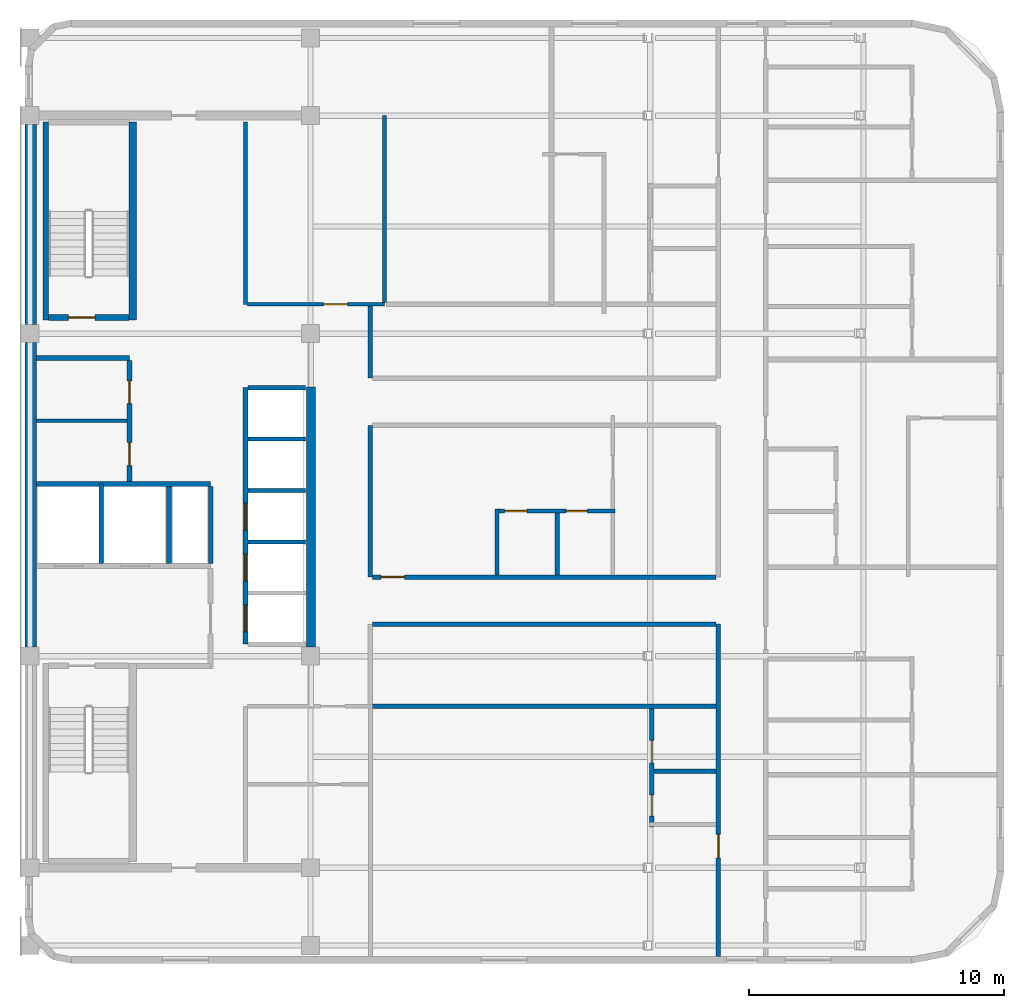
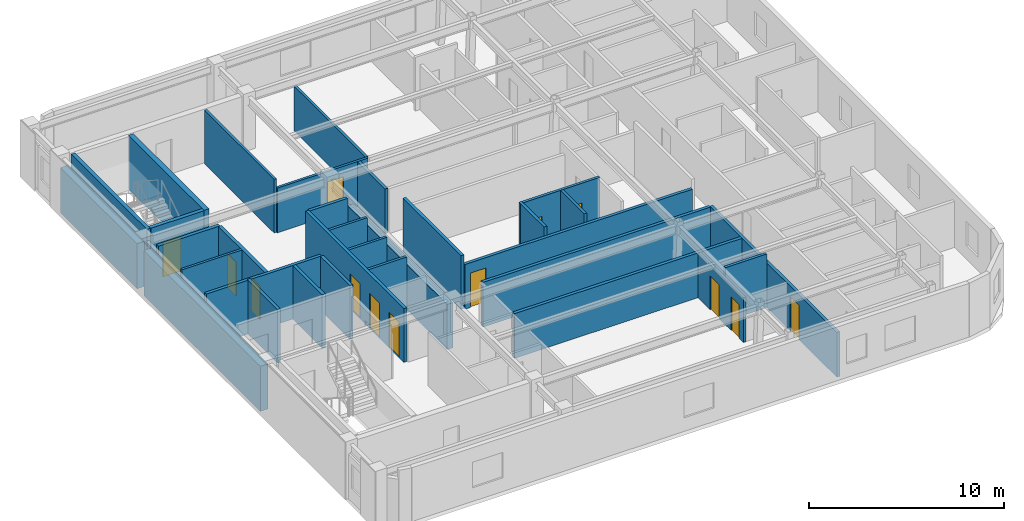
# One storey, part 3 of 7: 32 walls, 13 doors, 13 openings.
"""IFC4 building model written with IfcOpenShell, lengths in metres."""

from ifc_helpers import new_model, si_unit, direction, frame, frame_2d, origin, place, context, subcontext, project, spatial, rectangle, extrude, material, layer, layer_set, type_object, element, fill, save


model = new_model("IFC4")

# Units and contexts
model_context = context("Model", 3, precision=1e-05, world=origin(), true_north=direction((0.0, 1.0)))
body_context = subcontext(model_context, "Body", "Model", "MODEL_VIEW")
ifc_project = project(units=[si_unit("LENGTHUNIT", "METRE"), si_unit("AREAUNIT", "SQUARE_METRE"), si_unit("VOLUMEUNIT", "CUBIC_METRE"), si_unit("PLANEANGLEUNIT", "RADIAN"), si_unit("MASSUNIT", "GRAM", prefix="KILO")], contexts=[model_context])

# Site, building, storey
site_placement = place(None, origin())
site = spatial("IfcSite", under=ifc_project, at=site_placement, CompositionType="ELEMENT")
building_placement = place(site_placement, origin())
building = spatial("IfcBuilding", under=site, at=building_placement, Name="Ochreholt Gables", CompositionType="ELEMENT")
storey_placement = place(building_placement, frame((0.0, 0.0, 242.39990234375)))
storey = spatial("IfcBuildingStorey", under=building, at=storey_placement, Name="L63", CompositionType="ELEMENT", Elevation=242.39990234375)

# Walls
ifc_material_1 = material(Name="Concrete 50 MPa", Category="concrete")
ifc_layer_1 = layer(ifc_material_1, 0.35009765625, Name="Concrete 50 MPa")
ifc_layer_set_1 = layer_set([ifc_layer_1], Name="Concrete 50 MPa")
wall_type_1 = type_object("IfcWallType", Name="WALL-CSW-350", PredefinedType="SHEAR", material=ifc_layer_set_1)
wall_1_placement = place(storey_placement, frame((35.22509765625, 17.89990234375, 0.0), z_axis=(0.0, 0.0, 1.0), x_axis=(0.0, 1.0, 0.0)))
element("IfcWall", 1, at=wall_1_placement, inside=storey, type_object=wall_type_1, Name="L63 Core Central-East Shear Wall", PredefinedType="SHEAR", context=body_context, shape_type="SweptSolid", body=[
    extrude(rectangle(XDim=10.2001953125, YDim=0.35009765625, at=frame_2d((5.10009765625, 0.0))), origin(), (0.0, 0.0, 1.0), 2.821044921875),
])
ifc_layer_2 = layer(ifc_material_1, 0.449951171875, Name="Concrete 50 MPa")
ifc_layer_set_2 = layer_set([ifc_layer_2], Name="Concrete 50 MPa")
wall_type_2 = type_object("IfcWallType", Name="WALL-CSW-EXT", PredefinedType="SHEAR", material=ifc_layer_set_2)
wall_2_placement = place(storey_placement, frame((24.22509765625, 17.89990234375, 0.0), z_axis=(0.0, 0.0, 1.0), x_axis=(0.0, 1.0, 0.0)))
element("IfcWall", 2, at=wall_2_placement, inside=storey, type_object=wall_type_2, Name="L63 Core West Shear Wall WM", PredefinedType="SHEAR", context=body_context, shape_type="SweptSolid", body=[
    extrude(rectangle(XDim=11.9501953125, YDim=0.449951171875, at=frame_2d((5.97509765625, 0.0))), origin(), (0.0, 0.0, 1.0), 2.821044921875),
])
wall_3_placement = place(storey_placement, frame((24.22509765625, 30.550048828125, 0.0), z_axis=(0.0, 0.0, 1.0), x_axis=(0.0, 1.0, 0.0)))
element("IfcWall", 3, at=wall_3_placement, inside=storey, type_object=wall_type_2, Name="L63 Core West Shear Wall WN", PredefinedType="SHEAR", context=body_context, shape_type="SweptSolid", body=[
    extrude(rectangle(XDim=7.849853515625, YDim=0.449951171875, at=frame_2d((3.9248046875, 0.0))), origin(), (0.0, 0.0, 1.0), 2.821044921875),
])
ifc_material_2 = material(Name="Concrete 40 MPa", Category="concrete")
ifc_layer_3 = layer(ifc_material_2, 0.199951171875, Name="Concrete 40 MPa")
ifc_layer_set_3 = layer_set([ifc_layer_3], Name="Concrete 40 MPa")
wall_type_3 = type_object("IfcWallType", Name="WALL-INT-CF200", PredefinedType="STANDARD", material=ifc_layer_set_3)
wall_4_placement = place(storey_placement, frame((24.449951171875, 29.239990234375, 0.0), z_axis=(0.0, 0.0, 1.0), x_axis=(1.0, 0.0, 0.0)))
element("IfcWall", 4, at=wall_4_placement, inside=storey, type_object=wall_type_3, Name="L63 Interior Wall WI-SRVN-L63", PredefinedType="STANDARD", context=body_context, shape_type="SweptSolid", body=[
    extrude(rectangle(XDim=3.650146484375, YDim=0.199951171875, at=frame_2d((1.8251953125, 0.0))), origin(), (0.0, 0.0, 1.0), 3.360107421875),
])

# Wall, openings, doors
wall_5_placement = place(storey_placement, frame((28.10009765625, 24.389892578125, 0.0), z_axis=(0.0, 0.0, 1.0), x_axis=(0.0, 1.0, 0.0)))
wall_5 = element("IfcWall", 5, at=wall_5_placement, inside=storey, type_object=wall_type_3, Name="L63 Interior Wall WI-SRVE-L63", PredefinedType="STANDARD", context=body_context, shape_type="SweptSolid", body=[
    extrude(rectangle(XDim=4.75, YDim=0.199951171875, at=frame_2d((2.375, 0.0))), origin(), (0.0, 0.0, 1.0), 3.360107421875),
])
opening_1_placement = place(wall_5_placement, frame((0.6298828125, 0.0, 0.0)))
opening_1 = element("IfcOpeningElement", 6, at=opening_1_placement, cuts=wall_5, Name="Opening D-SV1", PredefinedType="OPENING", context=body_context, shape_type="SweptSolid", body=[
    extrude(rectangle(XDim=0.89990234375, YDim=2.10009765625, at=frame_2d((0.449951171875, 1.050048828125))), frame((0.0, 0.10986328125, 0.0), z_axis=(0.0, -1.0, 0.0), x_axis=(1.0, 0.0, 0.0)), (0.0, 0.0, 1.0), 0.219970703125),
])
opening_2_placement = place(wall_5_placement, frame((3.06005859375, 0.0, 0.0)))
opening_2 = element("IfcOpeningElement", 7, at=opening_2_placement, cuts=wall_5, Name="Opening D-SV1", PredefinedType="OPENING", context=body_context, shape_type="SweptSolid", body=[
    extrude(rectangle(XDim=0.89990234375, YDim=2.10009765625, at=frame_2d((0.449951171875, 1.050048828125))), frame((0.0, 0.10986328125, 0.0), z_axis=(0.0, -1.0, 0.0), x_axis=(1.0, 0.0, 0.0)), (0.0, 0.0, 1.0), 0.219970703125),
])
ifc_material_3 = material(Name="Hollow Metal Steel", Category="steel")
door_type_1 = type_object("IfcDoorType", Name="DR-INT-SRV900", OperationType="NOTDEFINED", PredefinedType="DOOR", material=ifc_material_3)
door_1_placement = place(opening_1_placement, origin())
door_1 = element("IfcDoor", 8, at=door_1_placement, inside=storey, type_object=door_type_1, Name="L63 Door D-SRV1-L63", OperationType="SINGLE_SWING_LEFT", OverallHeight=2.10009765625, OverallWidth=0.89990234375, PredefinedType="DOOR", context=body_context, shape_type="SweptSolid", body=[
    extrude(rectangle(XDim=0.89990234375, YDim=2.10009765625, at=frame_2d((0.449951171875, 1.050048828125))), frame((0.0, 0.02490234375, 0.0), z_axis=(0.0, -1.0, 0.0), x_axis=(1.0, 0.0, 0.0)), (0.0, 0.0, 1.0), 0.050048828125),
])
fill(opening_1, door_1)
door_2_placement = place(opening_2_placement, origin())
door_2 = element("IfcDoor", 9, at=door_2_placement, inside=storey, type_object=door_type_1, Name="L63 Door D-SRV2-L63", OperationType="SINGLE_SWING_RIGHT", OverallHeight=2.10009765625, OverallWidth=0.89990234375, PredefinedType="DOOR", context=body_context, shape_type="SweptSolid", body=[
    extrude(rectangle(XDim=0.89990234375, YDim=2.10009765625, at=frame_2d((0.449951171875, 1.050048828125))), frame((0.0, 0.02490234375, 0.0), z_axis=(0.0, -1.0, 0.0), x_axis=(1.0, 0.0, 0.0)), (0.0, 0.0, 1.0), 0.050048828125),
])
fill(opening_2, door_2)

# Walls
ifc_material_4 = material(Name="Fire-Rated Gypsum Acoustic Partition", Category="gypsum")
ifc_layer_4 = layer(ifc_material_4, 0.179931640625, Name="Fire-Rated Gypsum Acoustic Partition")
ifc_layer_set_4 = layer_set([ifc_layer_4], Name="Fire-Rated Gypsum Acoustic Partition")
wall_type_4 = type_object("IfcWallType", Name="WALL-INT-CR180", PredefinedType="STANDARD", material=ifc_layer_set_4)
wall_6_placement = place(storey_placement, frame((37.550048828125, 20.64990234375, 0.0), z_axis=(0.0, 0.0, 1.0), x_axis=(0.0, 1.0, 0.0)))
element("IfcWall", 10, at=wall_6_placement, inside=storey, type_object=wall_type_4, Name="L63 Interior Wall WI-C3CE2-L63", PredefinedType="STANDARD", context=body_context, shape_type="SweptSolid", body=[
    extrude(rectangle(XDim=5.9501953125, YDim=0.179931640625, at=frame_2d((2.97509765625, 0.0))), origin(), (0.0, 0.0, 1.0), 3.360107421875),
])
wall_7_placement = place(storey_placement, frame((37.550048828125, 28.449951171875, 0.0), z_axis=(0.0, 0.0, 1.0), x_axis=(0.0, 1.0, 0.0)))
element("IfcWall", 11, at=wall_7_placement, inside=storey, type_object=wall_type_4, Name="L63 Interior Wall WI-C3CE4-L63", PredefinedType="STANDARD", context=body_context, shape_type="SweptSolid", body=[
    extrude(rectangle(XDim=2.82763671875, YDim=0.179931640625, at=frame_2d((1.413818359375, 0.0))), origin(), (0.0, 0.0, 1.0), 2.802978515625),
])

# Wall, opening, door
wall_8_placement = place(storey_placement, frame((51.199951171875, 5.77001953125, 0.0), z_axis=(0.0, 0.0, 1.0), x_axis=(0.0, 1.0, 0.0)))
wall_8 = element("IfcWall", 12, at=wall_8_placement, inside=storey, type_object=wall_type_4, Name="L63 Interior Wall WI-C3GW0-L63", PredefinedType="STANDARD", context=body_context, shape_type="SweptSolid", body=[
    extrude(rectangle(XDim=13.030029296875, YDim=0.179931640625, at=frame_2d((6.51513671875, 0.0))), origin(), (0.0, 0.0, 1.0), 2.802978515625),
])
opening_3_placement = place(wall_8_placement, frame((3.8701171875, 0.0, 0.0)))
opening_3 = element("IfcOpeningElement", 13, at=opening_3_placement, cuts=wall_8, Name="Opening D-UN1", PredefinedType="OPENING", context=body_context, shape_type="SweptSolid", body=[
    extrude(rectangle(XDim=0.919921875, YDim=2.14990234375, at=frame_2d((0.4599609375, 1.074951171875))), frame((0.0, 0.099853515625, 0.0), z_axis=(0.0, -1.0, 0.0), x_axis=(1.0, 0.0, 0.0)), (0.0, 0.0, 1.0), 0.199951171875),
])
ifc_material_5 = material(Name="Engineered Oak Timber", Category="wood")
door_type_2 = type_object("IfcDoorType", Name="DR-INT-UNT920", OperationType="NOTDEFINED", PredefinedType="DOOR", material=ifc_material_5)
door_3_placement = place(opening_3_placement, origin())
door_3 = element("IfcDoor", 14, at=door_3_placement, inside=storey, type_object=door_type_2, Name="L63 Door D-U-L63SM1-ENT", OperationType="SINGLE_SWING_LEFT", OverallHeight=2.14990234375, OverallWidth=0.919921875, PredefinedType="DOOR", context=body_context, shape_type="SweptSolid", body=[
    extrude(rectangle(XDim=0.919921875, YDim=2.14990234375, at=frame_2d((0.4599609375, 1.074951171875))), frame((0.0, 0.02490234375, 0.0), z_axis=(0.0, -1.0, 0.0), x_axis=(1.0, 0.0, 0.0)), (0.0, 0.0, 1.0), 0.050048828125),
])
fill(opening_3, door_3)

# Wall
wall_9_placement = place(storey_placement, frame((37.639892578125, 18.800048828125, 0.0), z_axis=(0.0, 0.0, 1.0), x_axis=(1.0, 0.0, 0.0)))
element("IfcWall", 15, at=wall_9_placement, inside=storey, type_object=wall_type_4, Name="L63 Interior Wall WI-C3BRS1-L63", PredefinedType="STANDARD", context=body_context, shape_type="SweptSolid", body=[
    extrude(rectangle(XDim=13.47021484375, YDim=0.179931640625, at=frame_2d((6.735107421875, 0.0))), origin(), (0.0, 0.0, 1.0), 2.802978515625),
])

# Wall, opening, door
wall_10_placement = place(storey_placement, frame((37.639892578125, 20.64990234375, 0.0), z_axis=(0.0, 0.0, 1.0), x_axis=(1.0, 0.0, 0.0)))
wall_10 = element("IfcWall", 16, at=wall_10_placement, inside=storey, type_object=wall_type_4, Name="L63 Interior Wall WI-C3BRN1-L63", PredefinedType="STANDARD", context=body_context, shape_type="SweptSolid", body=[
    extrude(rectangle(XDim=13.47021484375, YDim=0.179931640625, at=frame_2d((6.735107421875, 0.0))), origin(), (0.0, 0.0, 1.0), 2.802978515625),
])
opening_4_placement = place(wall_10_placement, frame((0.320068359375, 0.0, 0.0)))
opening_4 = element("IfcOpeningElement", 17, at=opening_4_placement, cuts=wall_10, Name="Opening D-UN1", PredefinedType="OPENING", context=body_context, shape_type="SweptSolid", body=[
    extrude(rectangle(XDim=0.919921875, YDim=2.14990234375, at=frame_2d((0.4599609375, 1.074951171875))), frame((0.0, 0.099853515625, 0.0), z_axis=(0.0, -1.0, 0.0), x_axis=(1.0, 0.0, 0.0)), (0.0, 0.0, 1.0), 0.199951171875),
])
door_4_placement = place(opening_4_placement, origin())
door_4 = element("IfcDoor", 18, at=door_4_placement, inside=storey, type_object=door_type_2, Name="L63 Door D-U-L63MC1-ENT", OperationType="SINGLE_SWING_LEFT", OverallHeight=2.14990234375, OverallWidth=0.919921875, PredefinedType="DOOR", context=body_context, shape_type="SweptSolid", body=[
    extrude(rectangle(XDim=0.919921875, YDim=2.14990234375, at=frame_2d((0.4599609375, 1.074951171875))), frame((0.0, 0.02490234375, 0.0), z_axis=(0.0, -1.0, 0.0), x_axis=(1.0, 0.0, 0.0)), (0.0, 0.0, 1.0), 0.050048828125),
])
fill(opening_4, door_4)

# Wall
ifc_material_6 = material(Name="Double-Stud Acoustic Demising Wall", Category="gypsum")
ifc_layer_5 = layer(ifc_material_6, 0.18505859375, Name="Double-Stud Acoustic Demising Wall")
ifc_layer_set_5 = layer_set([ifc_layer_5], Name="Double-Stud Acoustic Demising Wall")
wall_type_5 = type_object("IfcWallType", Name="WALL-INT-DM185", PredefinedType="PARTITIONING", material=ifc_layer_set_5)
wall_11_placement = place(storey_placement, frame((37.639892578125, 15.580078125, 0.0), z_axis=(0.0, 0.0, 1.0), x_axis=(1.0, 0.0, 0.0)))
element("IfcWall", 19, at=wall_11_placement, inside=storey, type_object=wall_type_5, Name="L63 Interior Wall WI-C3SMY-L63", PredefinedType="PARTITIONING", context=body_context, shape_type="SweptSolid", body=[
    extrude(rectangle(XDim=13.47021484375, YDim=0.18505859375, at=frame_2d((6.735107421875, 0.0))), origin(), (0.0, 0.0, 1.0), 2.802978515625),
])

# Wall, openings, doors
ifc_material_7 = material(Name="Moisture-Resistant Plumbing Chase Wall", Category="gypsum")
ifc_layer_6 = layer(ifc_material_7, 0.159912109375, Name="Moisture-Resistant Plumbing Chase Wall")
ifc_layer_set_6 = layer_set([ifc_layer_6], Name="Moisture-Resistant Plumbing Chase Wall")
wall_type_6 = type_object("IfcWallType", Name="WALL-INT-PL160", PredefinedType="PLUMBINGWALL", material=ifc_layer_set_6)
wall_12_placement = place(storey_placement, frame((48.583984375, 10.85009765625, 0.0), z_axis=(0.0, 0.0, 1.0), x_axis=(0.0, 1.0, 0.0)))
wall_12 = element("IfcWall", 20, at=wall_12_placement, inside=storey, type_object=wall_type_6, Name="L63 Interior Wall WU-L63SM1-WX", PredefinedType="PLUMBINGWALL", context=body_context, shape_type="SweptSolid", body=[
    extrude(rectangle(XDim=4.637451171875, YDim=0.159912109375, at=frame_2d((2.31884765625, 0.0))), origin(), (0.0, 0.0, 1.0), 2.802978515625),
])
opening_5_placement = place(wall_12_placement, frame((0.419921875, 0.0, 0.0)))
opening_5 = element("IfcOpeningElement", 21, at=opening_5_placement, cuts=wall_12, Name="Opening D-BT2", PredefinedType="OPENING", context=body_context, shape_type="SweptSolid", body=[
    extrude(rectangle(XDim=0.840087890625, YDim=2.1201171875, at=frame_2d((0.419921875, 1.06005859375))), frame((0.0, 0.08984375, 0.0), z_axis=(0.0, -1.0, 0.0), x_axis=(1.0, 0.0, 0.0)), (0.0, 0.0, 1.0), 0.179931640625),
])
opening_6_placement = place(wall_12_placement, frame((2.512939453125, 0.0, 0.0)))
opening_6 = element("IfcOpeningElement", 22, at=opening_6_placement, cuts=wall_12, Name="Opening D-GN2", PredefinedType="OPENING", context=body_context, shape_type="SweptSolid", body=[
    extrude(rectangle(XDim=0.8798828125, YDim=2.1201171875, at=frame_2d((0.43994140625, 1.06005859375))), frame((0.0, 0.08984375, 0.0), z_axis=(0.0, -1.0, 0.0), x_axis=(1.0, 0.0, 0.0)), (0.0, 0.0, 1.0), 0.179931640625),
])
door_type_3 = type_object("IfcDoorType", Name="DR-INT-BTH840", OperationType="NOTDEFINED", PredefinedType="DOOR", material=ifc_material_5)
door_5_placement = place(opening_5_placement, origin())
door_5 = element("IfcDoor", 23, at=door_5_placement, inside=storey, type_object=door_type_3, Name="L63 Door D-U-L63SM1-BTH", OperationType="SINGLE_SWING_RIGHT", OverallHeight=2.1201171875, OverallWidth=0.840087890625, PredefinedType="DOOR", context=body_context, shape_type="SweptSolid", body=[
    extrude(rectangle(XDim=0.840087890625, YDim=2.1201171875, at=frame_2d((0.419921875, 1.06005859375))), frame((0.0, 0.02490234375, 0.0), z_axis=(0.0, -1.0, 0.0), x_axis=(1.0, 0.0, 0.0)), (0.0, 0.0, 1.0), 0.050048828125),
])
fill(opening_5, door_5)
door_type_4 = type_object("IfcDoorType", Name="DR-INT-GEN880", OperationType="NOTDEFINED", PredefinedType="DOOR", material=ifc_material_5)
door_6_placement = place(opening_6_placement, origin())
door_6 = element("IfcDoor", 24, at=door_6_placement, inside=storey, type_object=door_type_4, Name="L63 Door D-U-L63SM1-KIT", OperationType="SINGLE_SWING_LEFT", OverallHeight=2.1201171875, OverallWidth=0.8798828125, PredefinedType="DOOR", context=body_context, shape_type="SweptSolid", body=[
    extrude(rectangle(XDim=0.8798828125, YDim=2.1201171875, at=frame_2d((0.43994140625, 1.06005859375))), frame((0.0, 0.02490234375, 0.0), z_axis=(0.0, -1.0, 0.0), x_axis=(1.0, 0.0, 0.0)), (0.0, 0.0, 1.0), 0.050048828125),
])
fill(opening_6, door_6)

# Wall
wall_13_placement = place(storey_placement, frame((48.6640625, 13.032958984375, 0.0), z_axis=(0.0, 0.0, 1.0), x_axis=(1.0, 0.0, 0.0)))
element("IfcWall", 25, at=wall_13_placement, inside=storey, type_object=wall_type_6, Name="L63 Interior Wall WU-L63SM1-WM", PredefinedType="PLUMBINGWALL", context=body_context, shape_type="SweptSolid", body=[
    extrude(rectangle(XDim=2.446044921875, YDim=0.159912109375, at=frame_2d((1.22314453125, 0.0))), origin(), (0.0, 0.0, 1.0), 3.360107421875),
])

# Wall, openings, doors
wall_14_placement = place(storey_placement, frame((42.429931640625, 23.237548828125, 0.0), z_axis=(0.0, 0.0, 1.0), x_axis=(1.0, 0.0, 0.0)))
wall_14 = element("IfcWall", 26, at=wall_14_placement, inside=storey, type_object=wall_type_6, Name="L63 Interior Wall WU-L63MC1-WY", PredefinedType="PLUMBINGWALL", context=body_context, shape_type="SweptSolid", body=[
    extrude(rectangle(XDim=4.7099609375, YDim=0.159912109375, at=frame_2d((2.35498046875, 0.0))), origin(), (0.0, 0.0, 1.0), 3.360107421875),
])
opening_7_placement = place(wall_14_placement, frame((0.3798828125, 0.0, 0.0)))
opening_7 = element("IfcOpeningElement", 27, at=opening_7_placement, cuts=wall_14, Name="Opening D-GN2", PredefinedType="OPENING", context=body_context, shape_type="SweptSolid", body=[
    extrude(rectangle(XDim=0.8798828125, YDim=2.1201171875, at=frame_2d((0.43994140625, 1.06005859375))), frame((0.0, 0.08984375, 0.0), z_axis=(0.0, -1.0, 0.0), x_axis=(1.0, 0.0, 0.0)), (0.0, 0.0, 1.0), 0.179931640625),
])
opening_8_placement = place(wall_14_placement, frame((2.785888671875, 0.0, 0.0)))
opening_8 = element("IfcOpeningElement", 28, at=opening_8_placement, cuts=wall_14, Name="Opening D-BT2", PredefinedType="OPENING", context=body_context, shape_type="SweptSolid", body=[
    extrude(rectangle(XDim=0.840087890625, YDim=2.1201171875, at=frame_2d((0.419921875, 1.06005859375))), frame((0.0, 0.08984375, 0.0), z_axis=(0.0, -1.0, 0.0), x_axis=(1.0, 0.0, 0.0)), (0.0, 0.0, 1.0), 0.179931640625),
])
door_7_placement = place(opening_8_placement, origin())
door_7 = element("IfcDoor", 29, at=door_7_placement, inside=storey, type_object=door_type_3, Name="L63 Door D-U-L63MC1-BTH", OperationType="SINGLE_SWING_LEFT", OverallHeight=2.1201171875, OverallWidth=0.840087890625, PredefinedType="DOOR", context=body_context, shape_type="SweptSolid", body=[
    extrude(rectangle(XDim=0.840087890625, YDim=2.1201171875, at=frame_2d((0.419921875, 1.06005859375))), frame((0.0, 0.02490234375, 0.0), z_axis=(0.0, -1.0, 0.0), x_axis=(1.0, 0.0, 0.0)), (0.0, 0.0, 1.0), 0.050048828125),
])
fill(opening_8, door_7)
door_8_placement = place(opening_7_placement, origin())
door_8 = element("IfcDoor", 30, at=door_8_placement, inside=storey, type_object=door_type_4, Name="L63 Door D-U-L63MC1-KIT", OperationType="SINGLE_SWING_RIGHT", OverallHeight=2.1201171875, OverallWidth=0.8798828125, PredefinedType="DOOR", context=body_context, shape_type="SweptSolid", body=[
    extrude(rectangle(XDim=0.8798828125, YDim=2.1201171875, at=frame_2d((0.43994140625, 1.06005859375))), frame((0.0, 0.02490234375, 0.0), z_axis=(0.0, -1.0, 0.0), x_axis=(1.0, 0.0, 0.0)), (0.0, 0.0, 1.0), 0.050048828125),
])
fill(opening_7, door_8)

# Walls
wall_15_placement = place(storey_placement, frame((42.510009765625, 20.739990234375, 0.0), z_axis=(0.0, 0.0, 1.0), x_axis=(0.0, 1.0, 0.0)))
element("IfcWall", 31, at=wall_15_placement, inside=storey, type_object=wall_type_6, Name="L63 Interior Wall WU-L63MC1-FY", PredefinedType="PLUMBINGWALL", context=body_context, shape_type="SweptSolid", body=[
    extrude(rectangle(XDim=2.577392578125, YDim=0.159912109375, at=frame_2d((1.28857421875, 0.0))), origin(), (0.0, 0.0, 1.0), 3.360107421875),
])
wall_16_placement = place(storey_placement, frame((44.8759765625, 20.739990234375, 0.0), z_axis=(0.0, 0.0, 1.0), x_axis=(0.0, 1.0, 0.0)))
element("IfcWall", 32, at=wall_16_placement, inside=storey, type_object=wall_type_6, Name="L63 Interior Wall WU-L63MC1-WK", PredefinedType="PLUMBINGWALL", context=body_context, shape_type="SweptSolid", body=[
    extrude(rectangle(XDim=2.41748046875, YDim=0.159912109375, at=frame_2d((1.208740234375, 0.0))), origin(), (0.0, 0.0, 1.0), 3.360107421875),
])
ifc_material_8 = material(Name="Lightweight Stud Partition", Category="gypsum")
ifc_layer_7 = layer(ifc_material_8, 0.14501953125, Name="Lightweight Stud Partition")
ifc_layer_set_7 = layer_set([ifc_layer_7], Name="Lightweight Stud Partition")
wall_type_7 = type_object("IfcWallType", Name="WALL-INT-PT145", PredefinedType="PARTITIONING", material=ifc_layer_set_7)
wall_17_placement = place(storey_placement, frame((24.449951171875, 26.780029296875, 0.0), z_axis=(0.0, 0.0, 1.0), x_axis=(1.0, 0.0, 0.0)))
element("IfcWall", 33, at=wall_17_placement, inside=storey, type_object=wall_type_7, Name="L63 Interior Wall WI-SRVP1-L63", PredefinedType="PARTITIONING", context=body_context, shape_type="SweptSolid", body=[
    extrude(rectangle(XDim=3.550048828125, YDim=0.14501953125, at=frame_2d((1.77490234375, 0.0))), origin(), (0.0, 0.0, 1.0), 3.360107421875),
])
wall_18_placement = place(storey_placement, frame((32.64990234375, 31.35009765625, 0.0), z_axis=(0.0, 0.0, 1.0), x_axis=(0.0, 1.0, 0.0)))
element("IfcWall", 34, at=wall_18_placement, inside=storey, type_object=wall_type_7, Name="L63 Interior Wall WI-RCM-W-L63", PredefinedType="PARTITIONING", context=body_context, shape_type="SweptSolid", body=[
    extrude(rectangle(XDim=7.14990234375, YDim=0.14501953125, at=frame_2d((3.574951171875, 0.0))), origin(), (0.0, 0.0, 1.0), 3.360107421875),
])

# Wall, opening, door
wall_19_placement = place(storey_placement, frame((32.722412109375, 31.35009765625, 0.0), z_axis=(0.0, 0.0, 1.0), x_axis=(1.0, 0.0, 0.0)))
wall_19 = element("IfcWall", 35, at=wall_19_placement, inside=storey, type_object=wall_type_7, Name="L63 Interior Wall WI-RCM-S-L63", PredefinedType="PARTITIONING", context=body_context, shape_type="SweptSolid", body=[
    extrude(rectangle(XDim=5.377685546875, YDim=0.14501953125, at=frame_2d((2.68896484375, 0.0))), origin(), (0.0, 0.0, 1.0), 2.802978515625),
])
opening_9_placement = place(wall_19_placement, frame((2.9775390625, 0.0, 0.0)))
opening_9 = element("IfcOpeningElement", 36, at=opening_9_placement, cuts=wall_19, Name="Opening D-GN1", PredefinedType="OPENING", context=body_context, shape_type="SweptSolid", body=[
    extrude(rectangle(XDim=0.949951171875, YDim=2.14990234375, at=frame_2d((0.47509765625, 1.074951171875))), frame((0.0, 0.08251953125, 0.0), z_axis=(0.0, -1.0, 0.0), x_axis=(1.0, 0.0, 0.0)), (0.0, 0.0, 1.0), 0.1650390625),
])
door_type_5 = type_object("IfcDoorType", Name="DR-INT-GEN950", OperationType="NOTDEFINED", PredefinedType="DOOR", material=ifc_material_5)
door_9_placement = place(opening_9_placement, origin())
door_9 = element("IfcDoor", 37, at=door_9_placement, inside=storey, type_object=door_type_5, Name="L63 Door D-RCM-L63", OperationType="SINGLE_SWING_RIGHT", OverallHeight=2.14990234375, OverallWidth=0.949951171875, PredefinedType="DOOR", context=body_context, shape_type="SweptSolid", body=[
    extrude(rectangle(XDim=0.949951171875, YDim=2.14990234375, at=frame_2d((0.47509765625, 1.074951171875))), frame((0.0, 0.02490234375, 0.0), z_axis=(0.0, -1.0, 0.0), x_axis=(1.0, 0.0, 0.0)), (0.0, 0.0, 1.0), 0.050048828125),
])
fill(opening_9, door_9)

# Walls
wall_20_placement = place(storey_placement, frame((38.10009765625, 31.422607421875, 0.0), z_axis=(0.0, 0.0, 1.0), x_axis=(0.0, 1.0, 0.0)))
element("IfcWall", 38, at=wall_20_placement, inside=storey, type_object=wall_type_7, Name="L63 Interior Wall WI-RCM-E-L63", PredefinedType="PARTITIONING", context=body_context, shape_type="SweptSolid", body=[
    extrude(rectangle(XDim=7.327392578125, YDim=0.14501953125, at=frame_2d((3.66357421875, 0.0))), origin(), (0.0, 0.0, 1.0), 2.802978515625),
])
ifc_material_9 = material(Name="Gypsum Shaftliner and Steel Stud", Category="steel")
ifc_layer_8 = layer(ifc_material_9, 0.14990234375, Name="Gypsum Shaftliner and Steel Stud")
ifc_layer_set_8 = layer_set([ifc_layer_8], Name="Gypsum Shaftliner and Steel Stud")
wall_type_8 = type_object("IfcWallType", Name="WALL-INT-SH150", PredefinedType="STANDARD", material=ifc_layer_set_8)
for number, where, z_axis, x_axis, name in (
    (39, (32.739990234375, 22.02001953125, 0.0), (0.0, 0.0, 1.0), (1.0, 0.0, 0.0), "L63 Interior Wall WI-LFHE-DH2-L63"),
    (40, (32.739990234375, 24.050048828125, 0.0), (0.0, 0.0, 1.0), (1.0, 0.0, 0.0), "L63 Interior Wall WI-LFHE-DHE-L63"),
    (41, (32.739990234375, 26.070068359375, 0.0), (0.0, 0.0, 1.0), (1.0, 0.0, 0.0), "L63 Interior Wall WI-LFHE-DEX1-L63"),
):
    element("IfcWall", number, at=place(storey_placement, frame(where, z_axis=z_axis, x_axis=x_axis)), inside=storey, type_object=wall_type_8, Name=name, PredefinedType="STANDARD", context=body_context, shape_type="SweptSolid", body=[
        extrude(rectangle(XDim=2.260009765625, YDim=0.14990234375, at=frame_2d((1.1298828125, 0.0))), origin(), (0.0, 0.0, 1.0), 3.360107421875),
    ])
ifc_layer_9 = layer(ifc_material_9, 0.179931640625, Name="Gypsum Shaftliner and Steel Stud")
ifc_layer_set_9 = layer_set([ifc_layer_9], Name="Gypsum Shaftliner and Steel Stud")
wall_type_9 = type_object("IfcWallType", Name="WALL-INT-SH180", PredefinedType="STANDARD", material=ifc_layer_set_9)
wall_21_placement = place(storey_placement, frame((27.0, 21.18994140625, 0.0), z_axis=(0.0, 0.0, 1.0), x_axis=(0.0, 1.0, 0.0)))
element("IfcWall", 42, at=wall_21_placement, inside=storey, type_object=wall_type_9, Name="L63 Interior Wall WI-FFDIV-L63", PredefinedType="STANDARD", context=body_context, shape_type="SweptSolid", body=[
    extrude(rectangle(XDim=3.110107421875, YDim=0.179931640625, at=frame_2d((1.55517578125, 0.0))), origin(), (0.0, 0.0, 1.0), 3.360107421875),
])
wall_22_placement = place(storey_placement, frame((24.449951171875, 24.300048828125, 0.0), z_axis=(0.0, 0.0, 1.0), x_axis=(1.0, 0.0, 0.0)))
element("IfcWall", 43, at=wall_22_placement, inside=storey, type_object=wall_type_9, Name="L63 Interior Wall WI-FFBK-L63", PredefinedType="STANDARD", context=body_context, shape_type="SweptSolid", body=[
    extrude(rectangle(XDim=6.830078125, YDim=0.179931640625, at=frame_2d((3.4150390625, 0.0))), origin(), (0.0, 0.0, 1.0), 3.360107421875),
])
for number, where, z_axis, x_axis, name in (
    (44, (29.64990234375, 21.18994140625, 0.0), (0.0, 0.0, 1.0), (0.0, 1.0, 0.0), "L63 Interior Wall WI-FFSH-L63"),
    (45, (31.280029296875, 21.18994140625, 0.0), (0.0, 0.0, 1.0), (0.0, 1.0, 0.0), "L63 Interior Wall WI-RSE-L63"),
):
    element("IfcWall", number, at=place(storey_placement, frame(where, z_axis=z_axis, x_axis=x_axis)), inside=storey, type_object=wall_type_9, Name=name, PredefinedType="STANDARD", context=body_context, shape_type="SweptSolid", body=[
        extrude(rectangle(XDim=3.02001953125, YDim=0.179931640625, at=frame_2d((1.510009765625, 0.0))), origin(), (0.0, 0.0, 1.0), 3.360107421875),
    ])

# Wall, openings, doors
wall_23_placement = place(storey_placement, frame((32.64990234375, 18.02001953125, 0.0), z_axis=(0.0, 0.0, 1.0), x_axis=(0.0, 1.0, 0.0)))
wall_23 = element("IfcWall", 46, at=wall_23_placement, inside=storey, type_object=wall_type_9, Name="L63 Interior Wall WI-LFHE-FR-L63", PredefinedType="STANDARD", context=body_context, shape_type="SweptSolid", body=[
    extrude(rectangle(XDim=10.06005859375, YDim=0.179931640625, at=frame_2d((5.030029296875, 0.0))), origin(), (0.0, 0.0, 1.0), 3.360107421875),
])
opening_10_placement = place(wall_23_placement, frame((0.47998046875, 0.0, 0.0)))
opening_10 = element("IfcOpeningElement", 47, at=opening_10_placement, cuts=wall_23, Name="Opening LD-PX", PredefinedType="OPENING", context=body_context, shape_type="SweptSolid", body=[
    extrude(rectangle(XDim=1.050048828125, YDim=2.199951171875, at=frame_2d((0.52490234375, 1.10009765625))), frame((0.0, 0.099853515625, 0.0), z_axis=(0.0, -1.0, 0.0), x_axis=(1.0, 0.0, 0.0)), (0.0, 0.0, 1.0), 0.199951171875),
])
opening_11_placement = place(wall_23_placement, frame((2.47998046875, 0.0, 0.0)))
opening_11 = element("IfcOpeningElement", 48, at=opening_11_placement, cuts=wall_23, Name="Opening LD-PX", PredefinedType="OPENING", context=body_context, shape_type="SweptSolid", body=[
    extrude(rectangle(XDim=1.050048828125, YDim=2.199951171875, at=frame_2d((0.52490234375, 1.10009765625))), frame((0.0, 0.099853515625, 0.0), z_axis=(0.0, -1.0, 0.0), x_axis=(1.0, 0.0, 0.0)), (0.0, 0.0, 1.0), 0.199951171875),
])
opening_12_placement = place(wall_23_placement, frame((4.47998046875, 0.0, 0.0)))
opening_12 = element("IfcOpeningElement", 49, at=opening_12_placement, cuts=wall_23, Name="Opening LD-PX", PredefinedType="OPENING", context=body_context, shape_type="SweptSolid", body=[
    extrude(rectangle(XDim=1.050048828125, YDim=2.199951171875, at=frame_2d((0.52490234375, 1.10009765625))), frame((0.0, 0.099853515625, 0.0), z_axis=(0.0, -1.0, 0.0), x_axis=(1.0, 0.0, 0.0)), (0.0, 0.0, 1.0), 0.199951171875),
])
ifc_material_10 = material(Name="Stainless Steel", Category="steel")
door_type_6 = type_object("IfcDoorType", Name="DR-LFT-PX1050", OperationType="NOTDEFINED", PredefinedType="DOOR", material=ifc_material_10)
door_10_placement = place(opening_10_placement, origin())
door_10 = element("IfcDoor", 50, at=door_10_placement, inside=storey, type_object=door_type_6, Name="L63 Door LD-LF-H1-L63", OperationType="SLIDING_TO_LEFT", OverallHeight=2.199951171875, OverallWidth=1.050048828125, PredefinedType="DOOR", context=body_context, shape_type="SweptSolid", body=[
    extrude(rectangle(XDim=1.050048828125, YDim=2.199951171875, at=frame_2d((0.52490234375, 1.10009765625))), frame((0.0, 0.02490234375, 0.0), z_axis=(0.0, -1.0, 0.0), x_axis=(1.0, 0.0, 0.0)), (0.0, 0.0, 1.0), 0.050048828125),
])
fill(opening_10, door_10)
door_11_placement = place(opening_11_placement, origin())
door_11 = element("IfcDoor", 51, at=door_11_placement, inside=storey, type_object=door_type_6, Name="L63 Door LD-LF-H2-L63", OperationType="SLIDING_TO_LEFT", OverallHeight=2.199951171875, OverallWidth=1.050048828125, PredefinedType="DOOR", context=body_context, shape_type="SweptSolid", body=[
    extrude(rectangle(XDim=1.050048828125, YDim=2.199951171875, at=frame_2d((0.52490234375, 1.10009765625))), frame((0.0, 0.02490234375, 0.0), z_axis=(0.0, -1.0, 0.0), x_axis=(1.0, 0.0, 0.0)), (0.0, 0.0, 1.0), 0.050048828125),
])
fill(opening_11, door_11)
door_12_placement = place(opening_12_placement, origin())
door_12 = element("IfcDoor", 52, at=door_12_placement, inside=storey, type_object=door_type_6, Name="L63 Door LD-LF-H3-L63", OperationType="SLIDING_TO_LEFT", OverallHeight=2.199951171875, OverallWidth=1.050048828125, PredefinedType="DOOR", context=body_context, shape_type="SweptSolid", body=[
    extrude(rectangle(XDim=1.050048828125, YDim=2.199951171875, at=frame_2d((0.52490234375, 1.10009765625))), frame((0.0, 0.02490234375, 0.0), z_axis=(0.0, -1.0, 0.0), x_axis=(1.0, 0.0, 0.0)), (0.0, 0.0, 1.0), 0.050048828125),
])
fill(opening_12, door_12)

# Walls
wall_24_placement = place(storey_placement, frame((32.739990234375, 28.080078125, 0.0), z_axis=(0.0, 0.0, 1.0), x_axis=(1.0, 0.0, 0.0)))
element("IfcWall", 53, at=wall_24_placement, inside=storey, type_object=wall_type_9, Name="L63 Interior Wall WI-LFHE-N-L63", PredefinedType="STANDARD", context=body_context, shape_type="SweptSolid", body=[
    extrude(rectangle(XDim=2.260009765625, YDim=0.179931640625, at=frame_2d((1.1298828125, 0.0))), origin(), (0.0, 0.0, 1.0), 3.360107421875),
])
ifc_material_11 = material(Name="Concrete 60 MPa", Category="concrete")
ifc_layer_10 = layer(ifc_material_11, 0.300048828125, Name="Concrete 60 MPa")
ifc_layer_set_10 = layer_set([ifc_layer_10], Name="Concrete 60 MPa")
wall_type_10 = type_object("IfcWallType", Name="WALL-SPN-300", PredefinedType="SHEAR", material=ifc_layer_set_10)
wall_25_placement = place(storey_placement, frame((28.22998046875, 30.739990234375, 0.0), z_axis=(0.0, 0.0, 1.0), x_axis=(0.0, 1.0, 0.0)))
element("IfcWall", 54, at=wall_25_placement, inside=storey, type_object=wall_type_10, Name="L63 Core North Spine Shear Wall", PredefinedType="SHEAR", context=body_context, shape_type="SweptSolid", body=[
    extrude(rectangle(XDim=7.760009765625, YDim=0.300048828125, at=frame_2d((3.8798828125, 0.0))), origin(), (0.0, 0.0, 1.0), 3.360107421875),
])
ifc_layer_11 = layer(ifc_material_1, 0.219970703125, Name="Concrete 50 MPa")
ifc_layer_set_11 = layer_set([ifc_layer_11], Name="Concrete 50 MPa")
wall_type_11 = type_object("IfcWallType", Name="WALL-STW-220", PredefinedType="SHEAR", material=ifc_layer_set_11)
wall_26_placement = place(storey_placement, frame((24.81005859375, 30.739990234375, 0.0), z_axis=(0.0, 0.0, 1.0), x_axis=(0.0, 1.0, 0.0)))
element("IfcWall", 55, at=wall_26_placement, inside=storey, type_object=wall_type_11, Name="L63 Exit Stair 2 West Wall", PredefinedType="SHEAR", context=body_context, shape_type="SweptSolid", body=[
    extrude(rectangle(XDim=7.760009765625, YDim=0.219970703125, at=frame_2d((3.8798828125, 0.0))), origin(), (0.0, 0.0, 1.0), 3.360107421875),
])

# Wall, opening, door
wall_27_placement = place(storey_placement, frame((24.919921875, 30.830078125, 0.0), z_axis=(0.0, 0.0, 1.0), x_axis=(1.0, 0.0, 0.0)))
wall_27 = element("IfcWall", 56, at=wall_27_placement, inside=storey, type_object=wall_type_11, Name="L63 Exit Stair 2 South Wall", PredefinedType="SHEAR", context=body_context, shape_type="SweptSolid", body=[
    extrude(rectangle(XDim=3.16015625, YDim=0.219970703125, at=frame_2d((1.580078125, 0.0))), origin(), (0.0, 0.0, 1.0), 3.360107421875),
])
opening_13_placement = place(wall_27_placement, frame((0.780029296875, 0.0, 0.0)))
opening_13 = element("IfcOpeningElement", 57, at=opening_13_placement, cuts=wall_27, Name="Opening D-STC", PredefinedType="OPENING", context=body_context, shape_type="SweptSolid", body=[
    extrude(rectangle(XDim=1.050048828125, YDim=2.14990234375, at=frame_2d((0.52490234375, 1.074951171875))), frame((0.0, 0.119873046875, 0.0), z_axis=(0.0, -1.0, 0.0), x_axis=(1.0, 0.0, 0.0)), (0.0, 0.0, 1.0), 0.239990234375),
])
door_type_7 = type_object("IfcDoorType", Name="DR-INT-ST1050", OperationType="NOTDEFINED", PredefinedType="DOOR", material=ifc_material_3)
door_13_placement = place(opening_13_placement, origin())
door_13 = element("IfcDoor", 58, at=door_13_placement, inside=storey, type_object=door_type_7, Name="L63 Door D-ST2-L63", OperationType="SINGLE_SWING_RIGHT", OverallHeight=2.14990234375, OverallWidth=1.050048828125, PredefinedType="DOOR", context=body_context, shape_type="SweptSolid", body=[
    extrude(rectangle(XDim=1.050048828125, YDim=2.14990234375, at=frame_2d((0.52490234375, 1.074951171875))), frame((0.0, 0.02490234375, 0.0), z_axis=(0.0, -1.0, 0.0), x_axis=(1.0, 0.0, 0.0)), (0.0, 0.0, 1.0), 0.050048828125),
])
fill(opening_13, door_13)

save(model, "model.ifc")
